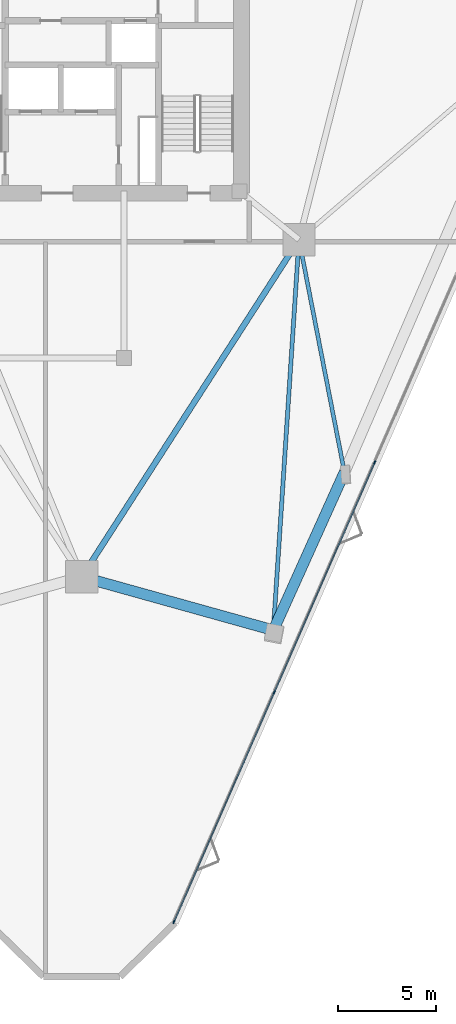
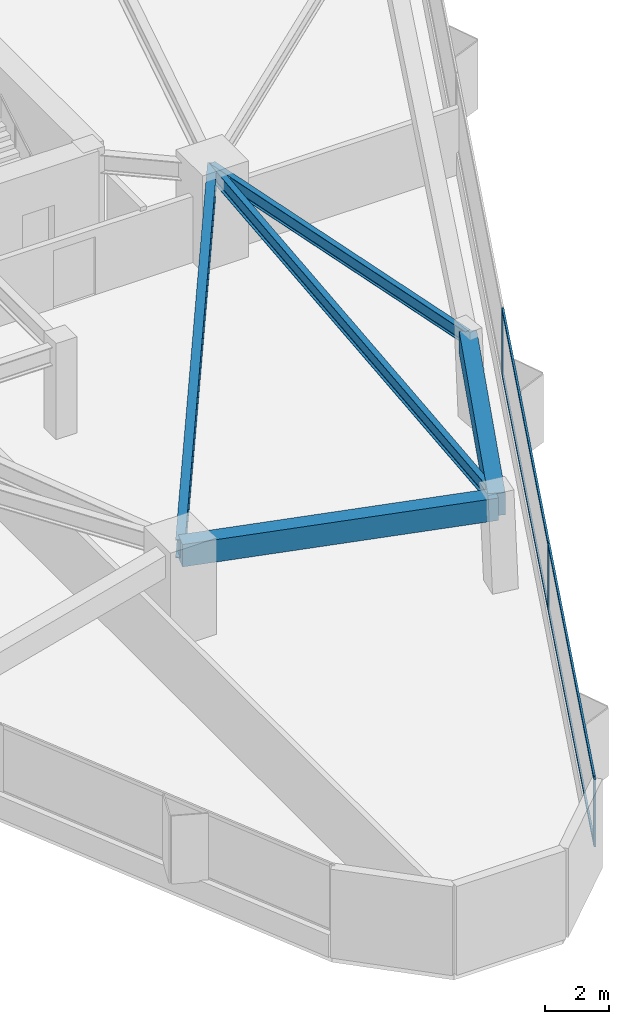
# One storey, part 4 of 16: 7 members, 5 beams, 1 element without a shape of its own.
"""IFC4 building model written with IfcOpenShell, lengths in metres."""

import ifcopenshell
import ifcopenshell.guid

model = None  # the IFC model being written
_history = None  # IfcOwnerHistory: only IFC2X3 demands one
_inside = {}  # id of a spatial element -> (the spatial element, [elements in it])
_under = {}  # id of a project, library or spatial element -> (it, [spatial elements below it])
_declared = {}  # id of a project -> (the project, [libraries it declares])
_typed = {}  # id of a type object -> (the type object, [elements of that type])
_made_of = {}  # id of a material, layer set ... -> (it, [elements and type objects made of it])


def new_model(schema):
    """Start an empty IFC model of exactly this schema.

    Asked for "IFC4X3", IfcOpenShell would pick the latest addendum, in which some entities
    have other attributes; the version numbers below select the first issue.
    IFC2X3 requires an IfcOwnerHistory on every rooted entity: one is made here for all.
    """
    global model, _history
    if schema == "IFC4X3":
        model = ifcopenshell.file(schema_version=(4, 3, 0, 0))
    else:
        model = ifcopenshell.file(schema=schema)
    _inside.clear()
    _under.clear()
    _declared.clear()
    _typed.clear()
    _made_of.clear()
    _history = None
    if model.schema == "IFC2X3":
        org = make("IfcOrganization", Name="unknown")
        user = make(
            "IfcPersonAndOrganization",
            ThePerson=make("IfcPerson", FamilyName="unknown"),
            TheOrganization=org,
        )
        app = make(
            "IfcApplication",
            ApplicationDeveloper=org,
            Version="unknown",
            ApplicationFullName="unknown",
            ApplicationIdentifier="unknown",
        )
        _history = make(
            "IfcOwnerHistory",
            OwningUser=user,
            OwningApplication=app,
            ChangeAction="ADDED",
            CreationDate=0,
        )
    return model


def make(cls, **values):
    """One entity of the class cls with the attributes given. An attribute that is None is left unset."""
    return model.create_entity(
        cls, **{name: value for name, value in values.items() if value is not None}
    )


def rooted(cls, **values):
    """An entity with a GlobalId (a new one), such as an element, a storey or a relation."""
    return make(cls, GlobalId=ifcopenshell.guid.new(), OwnerHistory=_history, **values)


def si_unit(unit_type, name, prefix=None):
    """IfcSIUnit, for example si_unit("LENGTHUNIT", "METRE", prefix="MILLI")."""
    return make("IfcSIUnit", UnitType=unit_type, Prefix=prefix, Name=name)


def assignment(units):
    """IfcUnitAssignment: the units of a project."""
    return None if units is None else make("IfcUnitAssignment", Units=units)


def point(xyz):
    """IfcCartesianPoint."""
    return None if xyz is None else make("IfcCartesianPoint", Coordinates=xyz)


def direction(xyz):
    """IfcDirection."""
    return None if xyz is None else make("IfcDirection", DirectionRatios=xyz)


def frame(location, z_axis=None, x_axis=None):
    """IfcAxis2Placement3D, a coordinate frame: its origin and axes. An axis left out is left unset."""
    return make(
        "IfcAxis2Placement3D",
        Location=point(location),
        Axis=direction(z_axis),
        RefDirection=direction(x_axis),
    )


def frame_2d(location, x_axis=None):
    """IfcAxis2Placement2D, a coordinate frame in the plane: its origin and x axis."""
    return make(
        "IfcAxis2Placement2D", Location=point(location), RefDirection=direction(x_axis)
    )


def origin():
    """The frame at (0, 0, 0) with its axes left unset."""
    return frame((0.0, 0.0, 0.0))


def origin_2d():
    """The frame at (0, 0) in the plane with its x axis left unset."""
    return frame_2d((0.0, 0.0))


def place(relative_to, where):
    """IfcLocalPlacement: puts the frame where relative to a parent placement (None: the world)."""
    return make(
        "IfcLocalPlacement", PlacementRelTo=relative_to, RelativePlacement=where
    )


def context(
    kind, dimensions, precision=None, world=None, true_north=None, identifier=None
):
    """IfcGeometricRepresentationContext, for example the 3D "Model" context."""
    return make(
        "IfcGeometricRepresentationContext",
        ContextIdentifier=identifier,
        ContextType=kind,
        CoordinateSpaceDimension=dimensions,
        Precision=precision,
        WorldCoordinateSystem=world,
        TrueNorth=true_north,
    )


def subcontext(parent, identifier, kind, view, scale=None):
    """IfcGeometricRepresentationSubContext, for example "Body" below "Model"."""
    return make(
        "IfcGeometricRepresentationSubContext",
        ContextIdentifier=identifier,
        ContextType=kind,
        ParentContext=parent,
        TargetScale=scale,
        TargetView=view,
    )


def project(units=None, contexts=None):
    """IfcProject with its units and contexts."""
    return rooted(
        "IfcProject",
        Name="project",
        RepresentationContexts=contexts,
        UnitsInContext=assignment(units),
    )


def spatial(cls, under=None, at=None, **own):
    """A site, building, storey or space (cls), placed at a placement, below another one or the project."""
    s = rooted(cls, ObjectPlacement=at, **own)
    if under is not None:
        _under.setdefault(under.id(), (under, []))[1].append(s)
    return s


def profile(cls, at=None, kind="AREA", **sizes):
    """A parametric profile (cls). Its sizes go by their IFC names, for example OverallWidth=200.0."""
    return make(cls, ProfileType=kind, Position=at, **sizes)


def rectangle(**sizes):
    """IfcRectangleProfileDef."""
    return profile("IfcRectangleProfileDef", **sizes)


def i_section(**sizes):
    """IfcIShapeProfileDef."""
    return profile("IfcIShapeProfileDef", **sizes)


def extrude(swept, where, along, depth):
    """IfcExtrudedAreaSolid: the profile swept, set in the frame where, extruded along a direction by depth."""
    return make(
        "IfcExtrudedAreaSolid",
        SweptArea=swept,
        Position=where,
        ExtrudedDirection=direction(along),
        Depth=depth,
    )


def shape(context_of_items, identifier, shape_type, items):
    """IfcShapeRepresentation: the items that make up one representation, for example the "Body"."""
    return make(
        "IfcShapeRepresentation",
        ContextOfItems=context_of_items,
        RepresentationIdentifier=identifier,
        RepresentationType=shape_type,
        Items=items,
    )


def material(Name=None, Category=None):
    """IfcMaterial."""
    return make("IfcMaterial", Name=Name, Category=Category)


def layer(
    of_material, thickness, ventilated=None, Name=None, Category=None, Priority=None
):
    """IfcMaterialLayer: one layer of a wall or slab, of a material (None: an air gap)."""
    return make(
        "IfcMaterialLayer",
        Material=of_material,
        LayerThickness=thickness,
        IsVentilated=ventilated,
        Name=Name,
        Category=Category,
        Priority=Priority,
    )


def layer_set(layers, Name=None):
    """IfcMaterialLayerSet."""
    return make("IfcMaterialLayerSet", MaterialLayers=layers, LayerSetName=Name)


def material_profile(
    of_material, cross_section, Name=None, Category=None, Priority=None
):
    """IfcMaterialProfile: a cross section and its material."""
    return make(
        "IfcMaterialProfile",
        Name=Name,
        Material=of_material,
        Profile=cross_section,
        Priority=Priority,
        Category=Category,
    )


def profile_set(profiles, Name=None, composite=None):
    """IfcMaterialProfileSet."""
    return make(
        "IfcMaterialProfileSet",
        Name=Name,
        MaterialProfiles=profiles,
        CompositeProfile=composite,
    )


def made_of(thing, what):
    """Note that an element or type object is made of a material, layer set ...; save() writes the relation."""
    if what is not None:
        _made_of.setdefault(what.id(), (what, []))[1].append(thing)
    return thing


def type_object(cls, material=None, **own):
    """A type object (cls), such as IfcWallType, which elements share."""
    return made_of(rooted(cls, **own), material)


def element(
    cls,
    number,
    at=None,
    inside=None,
    cuts=None,
    type_object=None,
    material=None,
    context=None,
    identifier="Body",
    shape_type=None,
    held_by="IfcProductDefinitionShape",
    body=None,
    shapes=None,
    **own,
):
    """One element of the class cls, such as IfcWall. Its Tag is "e" and its number.

    at: its placement. inside: the storey or other place that contains it. cuts: it is an
    opening in that element (IfcRelVoidsElement). A single representation is given by context,
    identifier, shape_type and body (its items); several are given by shapes. held_by: the class
    of the entity that holds the representations. save() writes the other relations.
    """
    e = rooted(cls, Tag="e%d" % number, ObjectPlacement=at, **own)
    if body is not None:
        shapes = [shape(context, identifier, shape_type, body)]
    if shapes is not None:
        e.Representation = make(held_by, Representations=shapes)
    if inside is not None:
        _inside.setdefault(inside.id(), (inside, []))[1].append(e)
    if cuts is not None:
        rooted(
            "IfcRelVoidsElement", RelatingBuildingElement=cuts, RelatedOpeningElement=e
        )
    if type_object is not None:
        _typed.setdefault(type_object.id(), (type_object, []))[1].append(e)
    return made_of(e, material)


def aggregate(whole, parts):
    """IfcRelAggregates: a whole, such as a stair, and the parts it consists of."""
    return rooted("IfcRelAggregates", RelatingObject=whole, RelatedObjects=parts)


def save(model, path):
    """Write the relations noted so far, then the file.

    IfcRelAggregates (storeys below a building ...), IfcRelContainedInSpatialStructure (elements
    in a storey), IfcRelDefinesByType, IfcRelAssociatesMaterial and IfcRelDeclares: one each for
    every whole, place, type object, material and project.
    """
    for whole, parts in _under.values():
        aggregate(whole, parts)
    for where, things in _inside.values():
        rooted(
            "IfcRelContainedInSpatialStructure",
            RelatedElements=things,
            RelatingStructure=where,
        )
    for kind, things in _typed.values():
        rooted("IfcRelDefinesByType", RelatedObjects=things, RelatingType=kind)
    for what, things in _made_of.values():
        rooted("IfcRelAssociatesMaterial", RelatedObjects=things, RelatingMaterial=what)
    for by, libraries in _declared.values():
        rooted("IfcRelDeclares", RelatingContext=by, RelatedDefinitions=libraries)
    model.write(path)


model = new_model("IFC4")

# Units and contexts
model_context = context("Model", 3, precision=1e-05, world=origin(), true_north=direction((0.0, 1.0)))
body_context = subcontext(model_context, "Body", "Model", "MODEL_VIEW")
ifc_project = project(units=[si_unit("LENGTHUNIT", "METRE"), si_unit("AREAUNIT", "SQUARE_METRE"), si_unit("VOLUMEUNIT", "CUBIC_METRE"), si_unit("PLANEANGLEUNIT", "RADIAN"), si_unit("MASSUNIT", "GRAM", prefix="KILO")], contexts=[model_context])

# Site, building, storey
site_placement = place(None, origin())
site = spatial("IfcSite", under=ifc_project, at=site_placement, CompositionType="ELEMENT")
building_placement = place(site_placement, origin())
building = spatial("IfcBuilding", under=site, at=building_placement, Name="Talyreon Biosciences Tower", CompositionType="ELEMENT")
storey_placement = place(building_placement, frame((0.0, 0.0, 107.85009765625)))
storey = spatial("IfcBuildingStorey", under=building, at=storey_placement, Name="L28", CompositionType="ELEMENT", Elevation=107.85009765625)

# Curtain wall, members
ifc_material_1 = material(Name="Thermally broken aluminium and low-E glazing", Category="aluminium")
ifc_layer = layer(ifc_material_1, 0.18994140625)
ifc_layer_set = layer_set([ifc_layer], Name="Thermally broken aluminium and low-E glazing")
curtain_wall_type = type_object("IfcCurtainWallType", Name="CurtainWall_Zone2Genomics", PredefinedType="NOTDEFINED", material=ifc_layer_set)
curtain_wall_placement = place(storey_placement, origin())
curtain_wall = element("IfcCurtainWall", 1, at=curtain_wall_placement, inside=storey, type_object=curtain_wall_type, Name="L28 Unitised Curtain Wall FCW-L28-08", PredefinedType="NOTDEFINED")
ifc_material_2 = material(Name="Anodised thermally broken aluminium", Category="aluminium")
ifc_material_profile_1 = material_profile(ifc_material_2, rectangle(XDim=0.06494140625, YDim=0.179931640625, at=origin_2d()), Name="ALUM MULLION 65x180")
ifc_profile_set_1 = profile_set([ifc_material_profile_1], Name="Anodised thermally broken aluminium")
member_type_1 = type_object("IfcMemberType", Name="CWMullion_65x180", PredefinedType="MULLION", material=ifc_profile_set_1)
member_1_placement = place(storey_placement, frame((80.953125, 47.509033203125, 0.809814453125), z_axis=(0.0, 0.0, 1.0), x_axis=(0.9163461482, -0.400386983653, 0.0)))
member_1 = element("IfcMember", 2, at=member_1_placement, type_object=member_type_1, Name="CW3 mullion 4", PredefinedType="MULLION", context=body_context, shape_type="SweptSolid", body=[
    extrude(rectangle(XDim=0.06494140625, YDim=0.179931640625, at=origin_2d()), origin(), (0.0, 0.0, 1.0), 2.565185546875),
])
member_2_placement = place(storey_placement, frame((75.822509765625, 35.7666015625, 0.809814453125), z_axis=(0.0, 0.0, 1.0), x_axis=(0.9163461482, -0.400386983653, 0.0)))
member_2 = element("IfcMember", 3, at=member_2_placement, type_object=member_type_1, Name="CW3 mullion 5", PredefinedType="MULLION", context=body_context, shape_type="SweptSolid", body=[
    extrude(rectangle(XDim=0.06494140625, YDim=0.179931640625, at=origin_2d()), origin(), (0.0, 0.0, 1.0), 2.565185546875),
])
member_3_placement = place(storey_placement, frame((70.704833984375, 24.0537109375, 0.809814453125), z_axis=(0.0, 0.0, 1.0), x_axis=(0.9163461482, -0.400386983653, 0.0)))
member_3 = element("IfcMember", 4, at=member_3_placement, type_object=member_type_1, Name="CW3 mullion 6", PredefinedType="MULLION", context=body_context, shape_type="SweptSolid", body=[
    extrude(rectangle(XDim=0.06494140625, YDim=0.179931640625, at=origin_2d()), origin(), (0.0, 0.0, 1.0), 2.565185546875),
])
ifc_material_profile_2 = material_profile(ifc_material_2, rectangle(XDim=0.06494140625, YDim=0.139892578125, at=origin_2d()), Name="ALUM TRANSOM 65x140")
ifc_profile_set_2 = profile_set([ifc_material_profile_2], Name="Anodised thermally broken aluminium")
member_type_2 = type_object("IfcMemberType", Name="CWTransom_65x140", PredefinedType="USERDEFINED", material=ifc_profile_set_2)
member_4_placement = place(storey_placement, frame((80.940185546875, 47.479248046875, 0.84228515625), z_axis=(-0.400389848838, -0.916344896285, 0.0), x_axis=(0.916344896285, -0.400389848838, 0.0)))
member_4 = element("IfcMember", 5, at=member_4_placement, type_object=member_type_2, Name="CW3 transom 4.1", ObjectType="TRANSOM", PredefinedType="USERDEFINED", context=body_context, shape_type="SweptSolid", body=[
    extrude(rectangle(XDim=0.06494140625, YDim=0.139892578125, at=origin_2d()), origin(), (0.0, 0.0, 1.0), 12.74951171875),
])
member_5_placement = place(storey_placement, frame((80.940185546875, 47.479248046875, 3.34228515625), z_axis=(-0.400389848838, -0.916344896285, 0.0), x_axis=(0.916344896285, -0.400389848838, 0.0)))
member_5 = element("IfcMember", 6, at=member_5_placement, type_object=member_type_2, Name="CW3 transom 4.2", ObjectType="TRANSOM", PredefinedType="USERDEFINED", context=body_context, shape_type="SweptSolid", body=[
    extrude(rectangle(XDim=0.06494140625, YDim=0.139892578125, at=origin_2d()), origin(), (0.0, 0.0, 1.0), 12.74951171875),
])
member_6_placement = place(storey_placement, frame((75.809326171875, 35.73681640625, 0.84228515625), z_axis=(-0.400371633207, -0.916352855249, 0.0), x_axis=(0.916352855249, -0.400371633207, 0.0)))
member_6 = element("IfcMember", 7, at=member_6_placement, type_object=member_type_2, Name="CW3 transom 5.1", ObjectType="TRANSOM", PredefinedType="USERDEFINED", context=body_context, shape_type="SweptSolid", body=[
    extrude(rectangle(XDim=0.06494140625, YDim=0.139892578125, at=origin_2d()), origin(), (0.0, 0.0, 1.0), 12.717041015625),
])
member_7_placement = place(storey_placement, frame((75.809326171875, 35.73681640625, 3.34228515625), z_axis=(-0.400371633207, -0.916352855249, 0.0), x_axis=(0.916352855249, -0.400371633207, 0.0)))
member_7 = element("IfcMember", 8, at=member_7_placement, type_object=member_type_2, Name="CW3 transom 5.2", ObjectType="TRANSOM", PredefinedType="USERDEFINED", context=body_context, shape_type="SweptSolid", body=[
    extrude(rectangle(XDim=0.06494140625, YDim=0.139892578125, at=origin_2d()), origin(), (0.0, 0.0, 1.0), 12.717041015625),
])
aggregate(curtain_wall, [member_1, member_2, member_3, member_4, member_5, member_6, member_7])

# Beams
ifc_material_3 = material(Name="Precast concrete C45/55", Category="concrete")
ifc_material_profile_3 = material_profile(ifc_material_3, rectangle(XDim=0.550048828125, YDim=0.85009765625, at=origin_2d()), Name="RCB 550x850")
ifc_profile_set_3 = profile_set([ifc_material_profile_3], Name="Precast concrete C45/55")
beam_type_1 = type_object("IfcBeamType", Name="ExpressedSpandrel_550x850", PredefinedType="SPANDREL", material=ifc_profile_set_3)
beam_1_placement = place(storey_placement, frame((66.0, 41.6669921875, 2.949951171875), z_axis=(0.963263176464, -0.268559216689, 0.0), x_axis=(0.268559216689, 0.963263176464, 0.0)))
element("IfcBeam", 9, at=beam_1_placement, inside=storey, type_object=beam_type_1, Name="L28 Expressed Horizontal Concrete Spandrel 01", PredefinedType="SPANDREL", context=body_context, shape_type="SweptSolid", body=[
    extrude(rectangle(XDim=0.550048828125, YDim=0.85009765625, at=origin_2d()), origin(), (0.0, 0.0, 1.0), 10.150634765625),
])
beam_2_placement = place(storey_placement, frame((75.77783203125, 38.94091796875, 2.949951171875), z_axis=(0.410617261869, 0.911807800063, 0.0), x_axis=(-0.911807800063, 0.410617261869, 0.0)))
element("IfcBeam", 10, at=beam_2_placement, inside=storey, type_object=beam_type_1, Name="L28 Expressed Horizontal Concrete Spandrel 02", PredefinedType="SPANDREL", context=body_context, shape_type="SweptSolid", body=[
    extrude(rectangle(XDim=0.550048828125, YDim=0.85009765625, at=origin_2d()), origin(), (0.0, 0.0, 1.0), 8.84130859375),
])
ifc_material_4 = material(Name="Steel SM355", Category="steel")
ifc_material_profile_4 = material_profile(ifc_material_4, i_section(OverallWidth=0.300048828125, OverallDepth=0.699951171875, WebThickness=0.01708984375, FlangeThickness=0.031982421875, FilletRadius=0.027099609375, at=origin_2d()), Name="HE700B")
ifc_profile_set_4 = profile_set([ifc_material_profile_4], Name="Steel SM355")
beam_type_2 = type_object("IfcBeamType", Name="SteelGirder_HE700B", PredefinedType="BEAM", material=ifc_profile_set_4)
beam_3_placement = place(storey_placement, frame((66.0, 41.6669921875, 3.02490234375), z_axis=(0.541463723609, 0.840724114092, 0.0), x_axis=(-0.840724114092, 0.541463723609, 0.0)))
element("IfcBeam", 11, at=beam_3_placement, inside=storey, type_object=beam_type_2, Name="L28 Mega-Ring Girder 1", PredefinedType="BEAM", context=body_context, shape_type="SweptSolid", body=[
    extrude(i_section(OverallWidth=0.300048828125, OverallDepth=0.699951171875, WebThickness=0.01708984375, FlangeThickness=0.031982421875, FilletRadius=0.027099609375, at=origin_2d()), origin(), (0.0, 0.0, 1.0), 20.474365234375),
])
ifc_material_profile_5 = material_profile(ifc_material_4, i_section(OverallWidth=0.199951171875, OverallDepth=0.5, WebThickness=0.01025390625, FlangeThickness=0.01611328125, FilletRadius=0.02099609375, at=origin_2d()), Name="IPE500")
ifc_profile_set_5 = profile_set([ifc_material_profile_5], Name="Steel SM355")
beam_type_3 = type_object("IfcBeamType", Name="SteelJoist_IPE500", PredefinedType="JOIST", material=ifc_profile_set_5)
beam_4_placement = place(storey_placement, frame((77.086181640625, 58.88037109375, 3.125), z_axis=(0.191858709619, -0.981422557079, 0.0), x_axis=(0.981422557079, 0.191858709619, 0.0)))
element("IfcBeam", 12, at=beam_4_placement, inside=storey, type_object=beam_type_3, Name="L28 Radial Composite Floor Joist PL-SE", PredefinedType="JOIST", context=body_context, shape_type="SweptSolid", body=[
    extrude(i_section(OverallWidth=0.199951171875, OverallDepth=0.5, WebThickness=0.01025390625, FlangeThickness=0.01611328125, FilletRadius=0.02099609375, at=origin_2d()), origin(), (0.0, 0.0, 1.0), 12.102783203125),
])
ifc_material_profile_6 = material_profile(ifc_material_4, i_section(OverallWidth=0.2099609375, OverallDepth=0.550048828125, WebThickness=0.010986328125, FlangeThickness=0.01708984375, FilletRadius=0.02392578125, at=origin_2d()), Name="IPE550")
ifc_profile_set_6 = profile_set([ifc_material_profile_6], Name="Steel SM355")
beam_type_4 = type_object("IfcBeamType", Name="SteelJoist_IPE550", PredefinedType="JOIST", material=ifc_profile_set_6)
beam_5_placement = place(storey_placement, frame((77.086181640625, 58.88037109375, 3.099853515625), z_axis=(-0.065475323215, -0.997854188772, 0.0), x_axis=(0.997854188772, -0.065475323215, 0.0)))
element("IfcBeam", 13, at=beam_5_placement, inside=storey, type_object=beam_type_4, Name="L28 Radial Composite Floor Joist PC-SE1", PredefinedType="JOIST", context=body_context, shape_type="SweptSolid", body=[
    extrude(i_section(OverallWidth=0.2099609375, OverallDepth=0.550048828125, WebThickness=0.010986328125, FlangeThickness=0.01708984375, FilletRadius=0.02392578125, at=origin_2d()), origin(), (0.0, 0.0, 1.0), 19.982421875),
])

save(model, "model.ifc")
